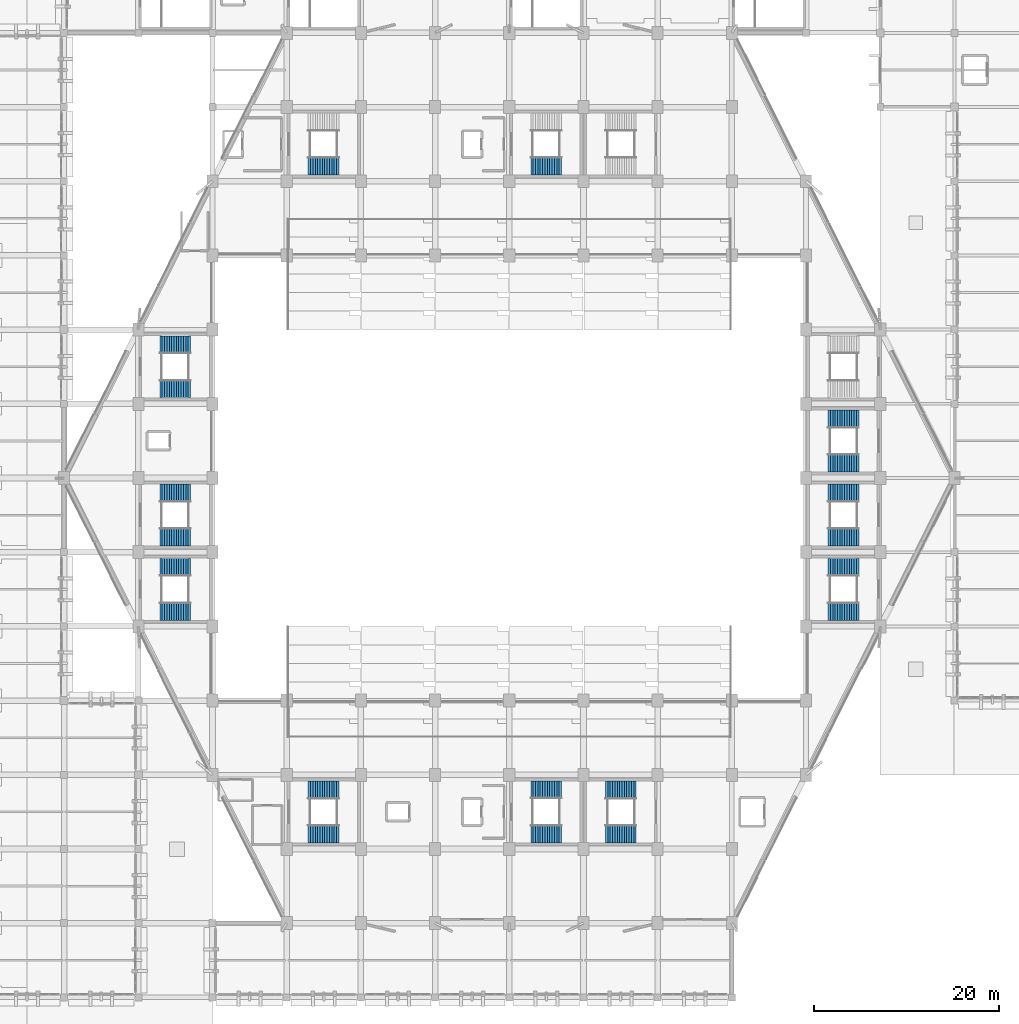
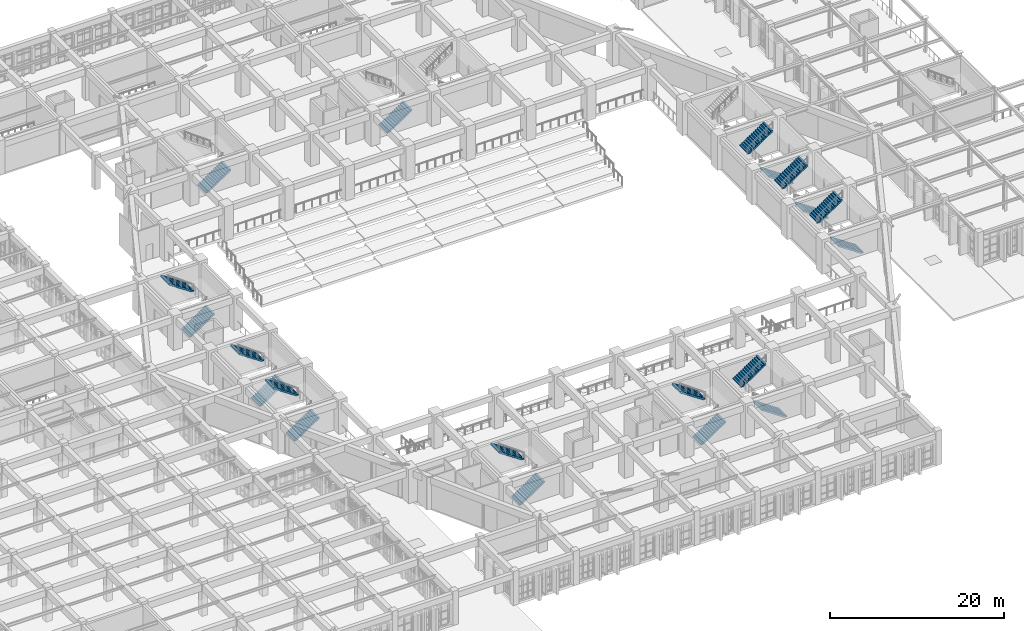
# One storey, part 141 of 155: 20 stair flights, 11 elements without a shape of their own.
"""IFC4 building model written with IfcOpenShell, lengths in metres."""

from ifc_helpers import new_model, si_unit, direction, frame, origin, place, context, subcontext, project, spatial, polyline, outline, extrude, material, type_object, element, aggregate, save


model = new_model("IFC4")

# Units and contexts
model_context = context("Model", 3, precision=1e-05, world=origin(), true_north=direction((0.0, 1.0)))
body_context = subcontext(model_context, "Body", "Model", "MODEL_VIEW")
ifc_project = project(units=[si_unit("LENGTHUNIT", "METRE"), si_unit("AREAUNIT", "SQUARE_METRE"), si_unit("VOLUMEUNIT", "CUBIC_METRE"), si_unit("PLANEANGLEUNIT", "RADIAN"), si_unit("MASSUNIT", "GRAM", prefix="KILO")], contexts=[model_context])

# Site, building, storey
site_placement = place(None, origin())
site = spatial("IfcSite", under=ifc_project, at=site_placement, CompositionType="ELEMENT")
building_placement = place(site_placement, origin())
building = spatial("IfcBuilding", under=site, at=building_placement, Name="Tazarka Park Arena", CompositionType="ELEMENT")
storey_placement = place(building_placement, frame((0.0, 0.0, 5.39990234375)))
storey = spatial("IfcBuildingStorey", under=building, at=storey_placement, Name="L01", CompositionType="ELEMENT", Elevation=5.39990234375)

# Stair, stair flights
ifc_material_1 = material(Name="Precast concrete C40/50", Category="concrete")
stair_type_1 = type_object("IfcStairType", Name="STR-2400", PredefinedType="HALF_TURN_STAIR", material=ifc_material_1)
stair_1_placement = place(storey_placement, origin())
stair_1 = element("IfcStair", 1, at=stair_1_placement, inside=storey, type_object=stair_type_1, Name="Stair ST09 L01", PredefinedType="HALF_TURN_STAIR")
ifc_material_2 = material(Name="Precast concrete C40/50", Category="concrete")
stair_flight_type_1 = type_object("IfcStairFlightType", Name="FLT-1350", PredefinedType="STRAIGHT", material=ifc_material_2)
stair_flight_1_placement = place(storey_placement, frame((66.31494140625, 25.6298828125, 0.0), z_axis=(0.0, 0.0, 1.0), x_axis=(1.0, 0.0, 0.0)))
stair_flight_1 = element("IfcStairFlight", 2, at=stair_flight_1_placement, type_object=stair_flight_type_1, Name="ST09-L01 flight 1", NumberOfRisers=14, NumberOfTreads=13, PredefinedType="STRAIGHT", RiserHeight=0.171429, TreadLength=0.255, context=body_context, shape_type="SweptSolid", body=[
    extrude(outline(polyline([(0.0, 0.0), (0.0, 0.17138671875), (0.2548828125, 0.17138671875), (0.2548828125, 0.3427734375), (0.510009765625, 0.3427734375), (0.510009765625, 0.514404296875), (0.764892578125, 0.514404296875), (0.764892578125, 0.685791015625), (1.02001953125, 0.685791015625), (1.02001953125, 0.857177734375), (1.27490234375, 0.857177734375), (1.27490234375, 1.028564453125), (1.530029296875, 1.028564453125), (1.530029296875, 1.199951171875), (1.784912109375, 1.199951171875), (1.784912109375, 1.371337890625), (2.0400390625, 1.371337890625), (2.0400390625, 1.54296875), (2.294921875, 1.54296875), (2.294921875, 1.71435546875), (2.550048828125, 1.71435546875), (2.550048828125, 1.8857421875), (2.804931640625, 1.8857421875), (2.804931640625, 2.05712890625), (3.06005859375, 2.05712890625), (3.06005859375, 2.228515625), (3.31494140625, 2.228515625), (3.31494140625, 2.39990234375), (3.31494140625, 2.01171875), (0.322509765625, 0.0), (0.0, 0.0)])), frame((0.0, 0.969970703125, 0.0), z_axis=(0.0, -1.0, 0.0), x_axis=(1.0, 0.0, 0.0)), (0.0, 0.0, 1.0), 1.93994140625),
])
stair_flight_2_placement = place(storey_placement, frame((69.6298828125, 30.3701171875, 2.400146484375), z_axis=(0.0, 0.0, 1.0), x_axis=(-1.0, 0.0, 0.0)))
stair_flight_2 = element("IfcStairFlight", 3, at=stair_flight_2_placement, type_object=stair_flight_type_1, Name="ST09-L01 flight 2", NumberOfRisers=14, NumberOfTreads=13, PredefinedType="STRAIGHT", RiserHeight=0.171429, TreadLength=0.255, context=body_context, shape_type="SweptSolid", body=[
    extrude(outline(polyline([(0.0, 0.0), (0.0, 0.17138671875), (0.2548828125, 0.17138671875), (0.2548828125, 0.3427734375), (0.510009765625, 0.3427734375), (0.510009765625, 0.514404296875), (0.764892578125, 0.514404296875), (0.764892578125, 0.685791015625), (1.02001953125, 0.685791015625), (1.02001953125, 0.857177734375), (1.27490234375, 0.857177734375), (1.27490234375, 1.028564453125), (1.530029296875, 1.028564453125), (1.530029296875, 1.199951171875), (1.784912109375, 1.199951171875), (1.784912109375, 1.371337890625), (2.0400390625, 1.371337890625), (2.0400390625, 1.54296875), (2.294921875, 1.54296875), (2.294921875, 1.71435546875), (2.550048828125, 1.71435546875), (2.550048828125, 1.8857421875), (2.804931640625, 1.8857421875), (2.804931640625, 2.05712890625), (3.06005859375, 2.05712890625), (3.06005859375, 2.228515625), (3.31494140625, 2.228515625), (3.31494140625, 2.39990234375), (3.31494140625, 2.01171875), (0.322509765625, 0.0), (0.0, 0.0)])), frame((0.0, 0.969970703125, 0.0), z_axis=(0.0, -1.0, 0.0), x_axis=(1.0, 0.0, 0.0)), (0.0, 0.0, 1.0), 1.93994140625),
])
aggregate(stair_1, [stair_flight_1, stair_flight_2])

stair_2_placement = place(storey_placement, origin())
stair_2 = element("IfcStair", 4, at=stair_2_placement, inside=storey, type_object=stair_type_1, Name="Stair ST11 L01", PredefinedType="HALF_TURN_STAIR")
stair_flight_3_placement = place(storey_placement, frame((101.68505859375, 25.6298828125, 0.0), z_axis=(0.0, 0.0, 1.0), x_axis=(-1.0, 0.0, 0.0)))
stair_flight_3 = element("IfcStairFlight", 5, at=stair_flight_3_placement, type_object=stair_flight_type_1, Name="ST11-L01 flight 1", NumberOfRisers=14, NumberOfTreads=13, PredefinedType="STRAIGHT", RiserHeight=0.171429, TreadLength=0.255, context=body_context, shape_type="SweptSolid", body=[
    extrude(outline(polyline([(0.0, 0.0), (0.0, 0.17138671875), (0.2548828125, 0.17138671875), (0.2548828125, 0.3427734375), (0.510009765625, 0.3427734375), (0.510009765625, 0.514404296875), (0.764892578125, 0.514404296875), (0.764892578125, 0.685791015625), (1.02001953125, 0.685791015625), (1.02001953125, 0.857177734375), (1.27490234375, 0.857177734375), (1.27490234375, 1.028564453125), (1.530029296875, 1.028564453125), (1.530029296875, 1.199951171875), (1.784912109375, 1.199951171875), (1.784912109375, 1.371337890625), (2.0400390625, 1.371337890625), (2.0400390625, 1.54296875), (2.294921875, 1.54296875), (2.294921875, 1.71435546875), (2.550048828125, 1.71435546875), (2.550048828125, 1.8857421875), (2.804931640625, 1.8857421875), (2.804931640625, 2.05712890625), (3.06005859375, 2.05712890625), (3.06005859375, 2.228515625), (3.31494140625, 2.228515625), (3.31494140625, 2.39990234375), (3.31494140625, 2.01171875), (0.322509765625, 0.0), (0.0, 0.0)])), frame((0.0, 0.969970703125, 0.0), z_axis=(0.0, -1.0, 0.0), x_axis=(1.0, 0.0, 0.0)), (0.0, 0.0, 1.0), 1.93994140625),
])
stair_flight_4_placement = place(storey_placement, frame((98.3701171875, 30.3701171875, 2.400146484375), z_axis=(0.0, 0.0, 1.0), x_axis=(1.0, 0.0, 0.0)))
stair_flight_4 = element("IfcStairFlight", 6, at=stair_flight_4_placement, type_object=stair_flight_type_1, Name="ST11-L01 flight 2", NumberOfRisers=14, NumberOfTreads=13, PredefinedType="STRAIGHT", RiserHeight=0.171429, TreadLength=0.255, context=body_context, shape_type="SweptSolid", body=[
    extrude(outline(polyline([(0.0, 0.0), (0.0, 0.17138671875), (0.2548828125, 0.17138671875), (0.2548828125, 0.3427734375), (0.510009765625, 0.3427734375), (0.510009765625, 0.514404296875), (0.764892578125, 0.514404296875), (0.764892578125, 0.685791015625), (1.02001953125, 0.685791015625), (1.02001953125, 0.857177734375), (1.27490234375, 0.857177734375), (1.27490234375, 1.028564453125), (1.530029296875, 1.028564453125), (1.530029296875, 1.199951171875), (1.784912109375, 1.199951171875), (1.784912109375, 1.371337890625), (2.0400390625, 1.371337890625), (2.0400390625, 1.54296875), (2.294921875, 1.54296875), (2.294921875, 1.71435546875), (2.550048828125, 1.71435546875), (2.550048828125, 1.8857421875), (2.804931640625, 1.8857421875), (2.804931640625, 2.05712890625), (3.06005859375, 2.05712890625), (3.06005859375, 2.228515625), (3.31494140625, 2.228515625), (3.31494140625, 2.39990234375), (3.31494140625, 2.01171875), (0.322509765625, 0.0), (0.0, 0.0)])), frame((0.0, 0.969970703125, 0.0), z_axis=(0.0, -1.0, 0.0), x_axis=(1.0, 0.0, 0.0)), (0.0, 0.0, 1.0), 1.93994140625),
])
aggregate(stair_2, [stair_flight_3, stair_flight_4])

stair_3_placement = place(storey_placement, origin())
stair_3 = element("IfcStair", 7, at=stair_3_placement, inside=storey, type_object=stair_type_1, Name="Stair ST12 L01", PredefinedType="HALF_TURN_STAIR")
stair_flight_5_placement = place(storey_placement, frame((125.68505859375, 57.6298828125, 0.0), z_axis=(0.0, 0.0, 1.0), x_axis=(-1.0, 0.0, 0.0)))
stair_flight_5 = element("IfcStairFlight", 8, at=stair_flight_5_placement, type_object=stair_flight_type_1, Name="ST12-L01 flight 1", NumberOfRisers=14, NumberOfTreads=13, PredefinedType="STRAIGHT", RiserHeight=0.171429, TreadLength=0.255, context=body_context, shape_type="SweptSolid", body=[
    extrude(outline(polyline([(0.0, 0.0), (0.0, 0.17138671875), (0.2548828125, 0.17138671875), (0.2548828125, 0.3427734375), (0.510009765625, 0.3427734375), (0.510009765625, 0.514404296875), (0.764892578125, 0.514404296875), (0.764892578125, 0.685791015625), (1.02001953125, 0.685791015625), (1.02001953125, 0.857177734375), (1.27490234375, 0.857177734375), (1.27490234375, 1.028564453125), (1.530029296875, 1.028564453125), (1.530029296875, 1.199951171875), (1.784912109375, 1.199951171875), (1.784912109375, 1.371337890625), (2.0400390625, 1.371337890625), (2.0400390625, 1.54296875), (2.294921875, 1.54296875), (2.294921875, 1.71435546875), (2.550048828125, 1.71435546875), (2.550048828125, 1.8857421875), (2.804931640625, 1.8857421875), (2.804931640625, 2.05712890625), (3.06005859375, 2.05712890625), (3.06005859375, 2.228515625), (3.31494140625, 2.228515625), (3.31494140625, 2.39990234375), (3.31494140625, 2.01171875), (0.322509765625, 0.0), (0.0, 0.0)])), frame((0.0, 0.969970703125, 0.0), z_axis=(0.0, -1.0, 0.0), x_axis=(1.0, 0.0, 0.0)), (0.0, 0.0, 1.0), 1.93994140625),
])
stair_flight_6_placement = place(storey_placement, frame((122.3701171875, 62.3701171875, 2.400146484375), z_axis=(0.0, 0.0, 1.0), x_axis=(1.0, 0.0, 0.0)))
stair_flight_6 = element("IfcStairFlight", 9, at=stair_flight_6_placement, type_object=stair_flight_type_1, Name="ST12-L01 flight 2", NumberOfRisers=14, NumberOfTreads=13, PredefinedType="STRAIGHT", RiserHeight=0.171429, TreadLength=0.255, context=body_context, shape_type="SweptSolid", body=[
    extrude(outline(polyline([(0.0, 0.0), (0.0, 0.17138671875), (0.2548828125, 0.17138671875), (0.2548828125, 0.3427734375), (0.510009765625, 0.3427734375), (0.510009765625, 0.514404296875), (0.764892578125, 0.514404296875), (0.764892578125, 0.685791015625), (1.02001953125, 0.685791015625), (1.02001953125, 0.857177734375), (1.27490234375, 0.857177734375), (1.27490234375, 1.028564453125), (1.530029296875, 1.028564453125), (1.530029296875, 1.199951171875), (1.784912109375, 1.199951171875), (1.784912109375, 1.371337890625), (2.0400390625, 1.371337890625), (2.0400390625, 1.54296875), (2.294921875, 1.54296875), (2.294921875, 1.71435546875), (2.550048828125, 1.71435546875), (2.550048828125, 1.8857421875), (2.804931640625, 1.8857421875), (2.804931640625, 2.05712890625), (3.06005859375, 2.05712890625), (3.06005859375, 2.228515625), (3.31494140625, 2.228515625), (3.31494140625, 2.39990234375), (3.31494140625, 2.01171875), (0.322509765625, 0.0), (0.0, 0.0)])), frame((0.0, 0.969970703125, 0.0), z_axis=(0.0, -1.0, 0.0), x_axis=(1.0, 0.0, 0.0)), (0.0, 0.0, 1.0), 1.93994140625),
])
aggregate(stair_3, [stair_flight_5, stair_flight_6])

stair_4_placement = place(storey_placement, origin())
stair_4 = element("IfcStair", 10, at=stair_4_placement, inside=storey, type_object=stair_type_1, Name="Stair ST13 L01", PredefinedType="HALF_TURN_STAIR")
stair_flight_7_placement = place(storey_placement, frame((50.31494140625, 57.6298828125, 0.0), z_axis=(0.0, 0.0, 1.0), x_axis=(1.0, 0.0, 0.0)))
stair_flight_7 = element("IfcStairFlight", 11, at=stair_flight_7_placement, type_object=stair_flight_type_1, Name="ST13-L01 flight 1", NumberOfRisers=14, NumberOfTreads=13, PredefinedType="STRAIGHT", RiserHeight=0.171429, TreadLength=0.255, context=body_context, shape_type="SweptSolid", body=[
    extrude(outline(polyline([(0.0, 0.0), (0.0, 0.17138671875), (0.2548828125, 0.17138671875), (0.2548828125, 0.3427734375), (0.510009765625, 0.3427734375), (0.510009765625, 0.514404296875), (0.764892578125, 0.514404296875), (0.764892578125, 0.685791015625), (1.02001953125, 0.685791015625), (1.02001953125, 0.857177734375), (1.27490234375, 0.857177734375), (1.27490234375, 1.028564453125), (1.530029296875, 1.028564453125), (1.530029296875, 1.199951171875), (1.784912109375, 1.199951171875), (1.784912109375, 1.371337890625), (2.0400390625, 1.371337890625), (2.0400390625, 1.54296875), (2.294921875, 1.54296875), (2.294921875, 1.71435546875), (2.550048828125, 1.71435546875), (2.550048828125, 1.8857421875), (2.804931640625, 1.8857421875), (2.804931640625, 2.05712890625), (3.06005859375, 2.05712890625), (3.06005859375, 2.228515625), (3.31494140625, 2.228515625), (3.31494140625, 2.39990234375), (3.31494140625, 2.01171875), (0.322509765625, 0.0), (0.0, 0.0)])), frame((0.0, 0.969970703125, 0.0), z_axis=(0.0, -1.0, 0.0), x_axis=(1.0, 0.0, 0.0)), (0.0, 0.0, 1.0), 1.93994140625),
])
stair_flight_8_placement = place(storey_placement, frame((53.6298828125, 62.3701171875, 2.400146484375), z_axis=(0.0, 0.0, 1.0), x_axis=(-1.0, 0.0, 0.0)))
stair_flight_8 = element("IfcStairFlight", 12, at=stair_flight_8_placement, type_object=stair_flight_type_1, Name="ST13-L01 flight 2", NumberOfRisers=14, NumberOfTreads=13, PredefinedType="STRAIGHT", RiserHeight=0.171429, TreadLength=0.255, context=body_context, shape_type="SweptSolid", body=[
    extrude(outline(polyline([(0.0, 0.0), (0.0, 0.17138671875), (0.2548828125, 0.17138671875), (0.2548828125, 0.3427734375), (0.510009765625, 0.3427734375), (0.510009765625, 0.514404296875), (0.764892578125, 0.514404296875), (0.764892578125, 0.685791015625), (1.02001953125, 0.685791015625), (1.02001953125, 0.857177734375), (1.27490234375, 0.857177734375), (1.27490234375, 1.028564453125), (1.530029296875, 1.028564453125), (1.530029296875, 1.199951171875), (1.784912109375, 1.199951171875), (1.784912109375, 1.371337890625), (2.0400390625, 1.371337890625), (2.0400390625, 1.54296875), (2.294921875, 1.54296875), (2.294921875, 1.71435546875), (2.550048828125, 1.71435546875), (2.550048828125, 1.8857421875), (2.804931640625, 1.8857421875), (2.804931640625, 2.05712890625), (3.06005859375, 2.05712890625), (3.06005859375, 2.228515625), (3.31494140625, 2.228515625), (3.31494140625, 2.39990234375), (3.31494140625, 2.01171875), (0.322509765625, 0.0), (0.0, 0.0)])), frame((0.0, 0.969970703125, 0.0), z_axis=(0.0, -1.0, 0.0), x_axis=(1.0, 0.0, 0.0)), (0.0, 0.0, 1.0), 1.93994140625),
])
aggregate(stair_4, [stair_flight_7, stair_flight_8])

# Stair, stair flight
stair_5_placement = place(storey_placement, origin())
stair_5 = element("IfcStair", 13, at=stair_5_placement, inside=storey, type_object=stair_type_1, Name="Stair ST14 L01", PredefinedType="HALF_TURN_STAIR")
stair_flight_9_placement = place(storey_placement, frame((66.31494140625, 97.6298828125, 0.0), z_axis=(0.0, 0.0, 1.0), x_axis=(1.0, 0.0, 0.0)))
stair_flight_9 = element("IfcStairFlight", 14, at=stair_flight_9_placement, type_object=stair_flight_type_1, Name="ST14-L01 flight 1", NumberOfRisers=14, NumberOfTreads=13, PredefinedType="STRAIGHT", RiserHeight=0.171429, TreadLength=0.255, context=body_context, shape_type="SweptSolid", body=[
    extrude(outline(polyline([(0.0, 0.0), (0.0, 0.17138671875), (0.2548828125, 0.17138671875), (0.2548828125, 0.3427734375), (0.510009765625, 0.3427734375), (0.510009765625, 0.514404296875), (0.764892578125, 0.514404296875), (0.764892578125, 0.685791015625), (1.02001953125, 0.685791015625), (1.02001953125, 0.857177734375), (1.27490234375, 0.857177734375), (1.27490234375, 1.028564453125), (1.530029296875, 1.028564453125), (1.530029296875, 1.199951171875), (1.784912109375, 1.199951171875), (1.784912109375, 1.371337890625), (2.0400390625, 1.371337890625), (2.0400390625, 1.54296875), (2.294921875, 1.54296875), (2.294921875, 1.71435546875), (2.550048828125, 1.71435546875), (2.550048828125, 1.8857421875), (2.804931640625, 1.8857421875), (2.804931640625, 2.05712890625), (3.06005859375, 2.05712890625), (3.06005859375, 2.228515625), (3.31494140625, 2.228515625), (3.31494140625, 2.39990234375), (3.31494140625, 2.01171875), (0.322509765625, 0.0), (0.0, 0.0)])), frame((0.0, 0.969970703125, 0.0), z_axis=(0.0, -1.0, 0.0), x_axis=(1.0, 0.0, 0.0)), (0.0, 0.0, 1.0), 1.93994140625),
])
aggregate(stair_5, [stair_flight_9])

stair_6_placement = place(storey_placement, origin())
stair_6 = element("IfcStair", 15, at=stair_6_placement, inside=storey, type_object=stair_type_1, Name="Stair ST15 L01", PredefinedType="HALF_TURN_STAIR")
stair_flight_10_placement = place(storey_placement, frame((90.31494140625, 97.6298828125, 0.0), z_axis=(0.0, 0.0, 1.0), x_axis=(1.0, 0.0, 0.0)))
stair_flight_10 = element("IfcStairFlight", 16, at=stair_flight_10_placement, type_object=stair_flight_type_1, Name="ST15-L01 flight 1", NumberOfRisers=14, NumberOfTreads=13, PredefinedType="STRAIGHT", RiserHeight=0.171429, TreadLength=0.255, context=body_context, shape_type="SweptSolid", body=[
    extrude(outline(polyline([(0.0, 0.0), (0.0, 0.17138671875), (0.2548828125, 0.17138671875), (0.2548828125, 0.3427734375), (0.510009765625, 0.3427734375), (0.510009765625, 0.514404296875), (0.764892578125, 0.514404296875), (0.764892578125, 0.685791015625), (1.02001953125, 0.685791015625), (1.02001953125, 0.857177734375), (1.27490234375, 0.857177734375), (1.27490234375, 1.028564453125), (1.530029296875, 1.028564453125), (1.530029296875, 1.199951171875), (1.784912109375, 1.199951171875), (1.784912109375, 1.371337890625), (2.0400390625, 1.371337890625), (2.0400390625, 1.54296875), (2.294921875, 1.54296875), (2.294921875, 1.71435546875), (2.550048828125, 1.71435546875), (2.550048828125, 1.8857421875), (2.804931640625, 1.8857421875), (2.804931640625, 2.05712890625), (3.06005859375, 2.05712890625), (3.06005859375, 2.228515625), (3.31494140625, 2.228515625), (3.31494140625, 2.39990234375), (3.31494140625, 2.01171875), (0.322509765625, 0.0), (0.0, 0.0)])), frame((0.0, 0.969970703125, 0.0), z_axis=(0.0, -1.0, 0.0), x_axis=(1.0, 0.0, 0.0)), (0.0, 0.0, 1.0), 1.93994140625),
])
aggregate(stair_6, [stair_flight_10])

# Stair, stair flights
stair_7_placement = place(storey_placement, origin())
stair_7 = element("IfcStair", 17, at=stair_7_placement, inside=storey, type_object=stair_type_1, Name="Stair ST16 L01", PredefinedType="HALF_TURN_STAIR")
stair_flight_11_placement = place(storey_placement, frame((125.68505859375, 65.6298828125, 0.0), z_axis=(0.0, 0.0, 1.0), x_axis=(-1.0, 0.0, 0.0)))
stair_flight_11 = element("IfcStairFlight", 18, at=stair_flight_11_placement, type_object=stair_flight_type_1, Name="ST16-L01 flight 1", NumberOfRisers=14, NumberOfTreads=13, PredefinedType="STRAIGHT", RiserHeight=0.171429, TreadLength=0.255, context=body_context, shape_type="SweptSolid", body=[
    extrude(outline(polyline([(0.0, 0.0), (0.0, 0.17138671875), (0.2548828125, 0.17138671875), (0.2548828125, 0.3427734375), (0.510009765625, 0.3427734375), (0.510009765625, 0.514404296875), (0.764892578125, 0.514404296875), (0.764892578125, 0.685791015625), (1.02001953125, 0.685791015625), (1.02001953125, 0.857177734375), (1.27490234375, 0.857177734375), (1.27490234375, 1.028564453125), (1.530029296875, 1.028564453125), (1.530029296875, 1.199951171875), (1.784912109375, 1.199951171875), (1.784912109375, 1.371337890625), (2.0400390625, 1.371337890625), (2.0400390625, 1.54296875), (2.294921875, 1.54296875), (2.294921875, 1.71435546875), (2.550048828125, 1.71435546875), (2.550048828125, 1.8857421875), (2.804931640625, 1.8857421875), (2.804931640625, 2.05712890625), (3.06005859375, 2.05712890625), (3.06005859375, 2.228515625), (3.31494140625, 2.228515625), (3.31494140625, 2.39990234375), (3.31494140625, 2.01171875), (0.322509765625, 0.0), (0.0, 0.0)])), frame((0.0, 0.969970703125, 0.0), z_axis=(0.0, -1.0, 0.0), x_axis=(1.0, 0.0, 0.0)), (0.0, 0.0, 1.0), 1.93994140625),
])
stair_flight_12_placement = place(storey_placement, frame((122.3701171875, 70.3701171875, 2.400146484375), z_axis=(0.0, 0.0, 1.0), x_axis=(1.0, 0.0, 0.0)))
stair_flight_12 = element("IfcStairFlight", 19, at=stair_flight_12_placement, type_object=stair_flight_type_1, Name="ST16-L01 flight 2", NumberOfRisers=14, NumberOfTreads=13, PredefinedType="STRAIGHT", RiserHeight=0.171429, TreadLength=0.255, context=body_context, shape_type="SweptSolid", body=[
    extrude(outline(polyline([(0.0, 0.0), (0.0, 0.17138671875), (0.2548828125, 0.17138671875), (0.2548828125, 0.3427734375), (0.510009765625, 0.3427734375), (0.510009765625, 0.514404296875), (0.764892578125, 0.514404296875), (0.764892578125, 0.685791015625), (1.02001953125, 0.685791015625), (1.02001953125, 0.857177734375), (1.27490234375, 0.857177734375), (1.27490234375, 1.028564453125), (1.530029296875, 1.028564453125), (1.530029296875, 1.199951171875), (1.784912109375, 1.199951171875), (1.784912109375, 1.371337890625), (2.0400390625, 1.371337890625), (2.0400390625, 1.54296875), (2.294921875, 1.54296875), (2.294921875, 1.71435546875), (2.550048828125, 1.71435546875), (2.550048828125, 1.8857421875), (2.804931640625, 1.8857421875), (2.804931640625, 2.05712890625), (3.06005859375, 2.05712890625), (3.06005859375, 2.228515625), (3.31494140625, 2.228515625), (3.31494140625, 2.39990234375), (3.31494140625, 2.01171875), (0.322509765625, 0.0), (0.0, 0.0)])), frame((0.0, 0.969970703125, 0.0), z_axis=(0.0, -1.0, 0.0), x_axis=(1.0, 0.0, 0.0)), (0.0, 0.0, 1.0), 1.93994140625),
])
aggregate(stair_7, [stair_flight_11, stair_flight_12])

ifc_material_3 = material(Name="Precast concrete C40/50", Category="concrete")
stair_type_2 = type_object("IfcStairType", Name="STR-1800", PredefinedType="HALF_TURN_STAIR", material=ifc_material_3)
stair_8_placement = place(storey_placement, origin())
stair_8 = element("IfcStair", 20, at=stair_8_placement, inside=storey, type_object=stair_type_2, Name="Vomitory Stair ST19 L01", PredefinedType="HALF_TURN_STAIR")
ifc_material_4 = material(Name="Precast concrete C40/50", Category="concrete")
stair_flight_type_2 = type_object("IfcStairFlightType", Name="FLT-1800", PredefinedType="STRAIGHT", material=ifc_material_4)
stair_flight_13_placement = place(storey_placement, frame((50.31494140625, 49.610107421875, 0.0), z_axis=(0.0, 0.0, 1.0), x_axis=(1.0, 0.0, 0.0)))
stair_flight_13 = element("IfcStairFlight", 21, at=stair_flight_13_placement, type_object=stair_flight_type_2, Name="ST19-L01 flight 1", NumberOfRisers=14, NumberOfTreads=13, PredefinedType="STRAIGHT", RiserHeight=0.171429, TreadLength=0.255, context=body_context, shape_type="SweptSolid", body=[
    extrude(outline(polyline([(0.0, 0.0), (0.0, 0.17138671875), (0.2548828125, 0.17138671875), (0.2548828125, 0.3427734375), (0.510009765625, 0.3427734375), (0.510009765625, 0.514404296875), (0.764892578125, 0.514404296875), (0.764892578125, 0.685791015625), (1.02001953125, 0.685791015625), (1.02001953125, 0.857177734375), (1.27490234375, 0.857177734375), (1.27490234375, 1.028564453125), (1.530029296875, 1.028564453125), (1.530029296875, 1.199951171875), (1.784912109375, 1.199951171875), (1.784912109375, 1.371337890625), (2.0400390625, 1.371337890625), (2.0400390625, 1.54296875), (2.294921875, 1.54296875), (2.294921875, 1.71435546875), (2.550048828125, 1.71435546875), (2.550048828125, 1.8857421875), (2.804931640625, 1.8857421875), (2.804931640625, 2.05712890625), (3.06005859375, 2.05712890625), (3.06005859375, 2.228515625), (3.31494140625, 2.228515625), (3.31494140625, 2.39990234375), (3.31494140625, 2.01171875), (0.322509765625, 0.0), (0.0, 0.0)])), frame((0.0, 0.949951171875, 0.0), z_axis=(0.0, -1.0, 0.0), x_axis=(1.0, 0.0, 0.0)), (0.0, 0.0, 1.0), 1.89990234375),
])
stair_flight_14_placement = place(storey_placement, frame((53.6298828125, 54.389892578125, 2.400146484375), z_axis=(0.0, 0.0, 1.0), x_axis=(-1.0, 0.0, 0.0)))
stair_flight_14 = element("IfcStairFlight", 22, at=stair_flight_14_placement, type_object=stair_flight_type_2, Name="ST19-L01 flight 2", NumberOfRisers=14, NumberOfTreads=13, PredefinedType="STRAIGHT", RiserHeight=0.171429, TreadLength=0.255, context=body_context, shape_type="SweptSolid", body=[
    extrude(outline(polyline([(0.0, 0.0), (0.0, 0.17138671875), (0.2548828125, 0.17138671875), (0.2548828125, 0.3427734375), (0.510009765625, 0.3427734375), (0.510009765625, 0.514404296875), (0.764892578125, 0.514404296875), (0.764892578125, 0.685791015625), (1.02001953125, 0.685791015625), (1.02001953125, 0.857177734375), (1.27490234375, 0.857177734375), (1.27490234375, 1.028564453125), (1.530029296875, 1.028564453125), (1.530029296875, 1.199951171875), (1.784912109375, 1.199951171875), (1.784912109375, 1.371337890625), (2.0400390625, 1.371337890625), (2.0400390625, 1.54296875), (2.294921875, 1.54296875), (2.294921875, 1.71435546875), (2.550048828125, 1.71435546875), (2.550048828125, 1.8857421875), (2.804931640625, 1.8857421875), (2.804931640625, 2.05712890625), (3.06005859375, 2.05712890625), (3.06005859375, 2.228515625), (3.31494140625, 2.228515625), (3.31494140625, 2.39990234375), (3.31494140625, 2.01171875), (0.322509765625, 0.0), (0.0, 0.0)])), frame((0.0, 0.949951171875, 0.0), z_axis=(0.0, -1.0, 0.0), x_axis=(1.0, 0.0, 0.0)), (0.0, 0.0, 1.0), 1.89990234375),
])
aggregate(stair_8, [stair_flight_13, stair_flight_14])

stair_9_placement = place(storey_placement, origin())
stair_9 = element("IfcStair", 23, at=stair_9_placement, inside=storey, type_object=stair_type_2, Name="Vomitory Stair ST20 L01", PredefinedType="HALF_TURN_STAIR")
stair_flight_15_placement = place(storey_placement, frame((50.31494140625, 73.610107421875, 0.0), z_axis=(0.0, 0.0, 1.0), x_axis=(1.0, 0.0, 0.0)))
stair_flight_15 = element("IfcStairFlight", 24, at=stair_flight_15_placement, type_object=stair_flight_type_2, Name="ST20-L01 flight 1", NumberOfRisers=14, NumberOfTreads=13, PredefinedType="STRAIGHT", RiserHeight=0.171429, TreadLength=0.255, context=body_context, shape_type="SweptSolid", body=[
    extrude(outline(polyline([(0.0, 0.0), (0.0, 0.17138671875), (0.2548828125, 0.17138671875), (0.2548828125, 0.3427734375), (0.510009765625, 0.3427734375), (0.510009765625, 0.514404296875), (0.764892578125, 0.514404296875), (0.764892578125, 0.685791015625), (1.02001953125, 0.685791015625), (1.02001953125, 0.857177734375), (1.27490234375, 0.857177734375), (1.27490234375, 1.028564453125), (1.530029296875, 1.028564453125), (1.530029296875, 1.199951171875), (1.784912109375, 1.199951171875), (1.784912109375, 1.371337890625), (2.0400390625, 1.371337890625), (2.0400390625, 1.54296875), (2.294921875, 1.54296875), (2.294921875, 1.71435546875), (2.550048828125, 1.71435546875), (2.550048828125, 1.8857421875), (2.804931640625, 1.8857421875), (2.804931640625, 2.05712890625), (3.06005859375, 2.05712890625), (3.06005859375, 2.228515625), (3.31494140625, 2.228515625), (3.31494140625, 2.39990234375), (3.31494140625, 2.01171875), (0.322509765625, 0.0), (0.0, 0.0)])), frame((0.0, 0.949951171875, 0.0), z_axis=(0.0, -1.0, 0.0), x_axis=(1.0, 0.0, 0.0)), (0.0, 0.0, 1.0), 1.89990234375),
])
stair_flight_16_placement = place(storey_placement, frame((53.6298828125, 78.389892578125, 2.400146484375), z_axis=(0.0, 0.0, 1.0), x_axis=(-1.0, 0.0, 0.0)))
stair_flight_16 = element("IfcStairFlight", 25, at=stair_flight_16_placement, type_object=stair_flight_type_2, Name="ST20-L01 flight 2", NumberOfRisers=14, NumberOfTreads=13, PredefinedType="STRAIGHT", RiserHeight=0.171429, TreadLength=0.255, context=body_context, shape_type="SweptSolid", body=[
    extrude(outline(polyline([(0.0, 0.0), (0.0, 0.17138671875), (0.2548828125, 0.17138671875), (0.2548828125, 0.3427734375), (0.510009765625, 0.3427734375), (0.510009765625, 0.514404296875), (0.764892578125, 0.514404296875), (0.764892578125, 0.685791015625), (1.02001953125, 0.685791015625), (1.02001953125, 0.857177734375), (1.27490234375, 0.857177734375), (1.27490234375, 1.028564453125), (1.530029296875, 1.028564453125), (1.530029296875, 1.199951171875), (1.784912109375, 1.199951171875), (1.784912109375, 1.371337890625), (2.0400390625, 1.371337890625), (2.0400390625, 1.54296875), (2.294921875, 1.54296875), (2.294921875, 1.71435546875), (2.550048828125, 1.71435546875), (2.550048828125, 1.8857421875), (2.804931640625, 1.8857421875), (2.804931640625, 2.05712890625), (3.06005859375, 2.05712890625), (3.06005859375, 2.228515625), (3.31494140625, 2.228515625), (3.31494140625, 2.39990234375), (3.31494140625, 2.01171875), (0.322509765625, 0.0), (0.0, 0.0)])), frame((0.0, 0.949951171875, 0.0), z_axis=(0.0, -1.0, 0.0), x_axis=(1.0, 0.0, 0.0)), (0.0, 0.0, 1.0), 1.89990234375),
])
aggregate(stair_9, [stair_flight_15, stair_flight_16])

stair_10_placement = place(storey_placement, origin())
stair_10 = element("IfcStair", 26, at=stair_10_placement, inside=storey, type_object=stair_type_2, Name="Vomitory Stair ST21 L01", PredefinedType="HALF_TURN_STAIR")
stair_flight_17_placement = place(storey_placement, frame((125.68505859375, 49.610107421875, 0.0), z_axis=(0.0, 0.0, 1.0), x_axis=(-1.0, 0.0, 0.0)))
stair_flight_17 = element("IfcStairFlight", 27, at=stair_flight_17_placement, type_object=stair_flight_type_2, Name="ST21-L01 flight 1", NumberOfRisers=14, NumberOfTreads=13, PredefinedType="STRAIGHT", RiserHeight=0.171429, TreadLength=0.255, context=body_context, shape_type="SweptSolid", body=[
    extrude(outline(polyline([(0.0, 0.0), (0.0, 0.17138671875), (0.2548828125, 0.17138671875), (0.2548828125, 0.3427734375), (0.510009765625, 0.3427734375), (0.510009765625, 0.514404296875), (0.764892578125, 0.514404296875), (0.764892578125, 0.685791015625), (1.02001953125, 0.685791015625), (1.02001953125, 0.857177734375), (1.27490234375, 0.857177734375), (1.27490234375, 1.028564453125), (1.530029296875, 1.028564453125), (1.530029296875, 1.199951171875), (1.784912109375, 1.199951171875), (1.784912109375, 1.371337890625), (2.0400390625, 1.371337890625), (2.0400390625, 1.54296875), (2.294921875, 1.54296875), (2.294921875, 1.71435546875), (2.550048828125, 1.71435546875), (2.550048828125, 1.8857421875), (2.804931640625, 1.8857421875), (2.804931640625, 2.05712890625), (3.06005859375, 2.05712890625), (3.06005859375, 2.228515625), (3.31494140625, 2.228515625), (3.31494140625, 2.39990234375), (3.31494140625, 2.01171875), (0.322509765625, 0.0), (0.0, 0.0)])), frame((0.0, 0.949951171875, 0.0), z_axis=(0.0, -1.0, 0.0), x_axis=(1.0, 0.0, 0.0)), (0.0, 0.0, 1.0), 1.89990234375),
])
stair_flight_18_placement = place(storey_placement, frame((122.3701171875, 54.389892578125, 2.400146484375), z_axis=(0.0, 0.0, 1.0), x_axis=(1.0, 0.0, 0.0)))
stair_flight_18 = element("IfcStairFlight", 28, at=stair_flight_18_placement, type_object=stair_flight_type_2, Name="ST21-L01 flight 2", NumberOfRisers=14, NumberOfTreads=13, PredefinedType="STRAIGHT", RiserHeight=0.171429, TreadLength=0.255, context=body_context, shape_type="SweptSolid", body=[
    extrude(outline(polyline([(0.0, 0.0), (0.0, 0.17138671875), (0.2548828125, 0.17138671875), (0.2548828125, 0.3427734375), (0.510009765625, 0.3427734375), (0.510009765625, 0.514404296875), (0.764892578125, 0.514404296875), (0.764892578125, 0.685791015625), (1.02001953125, 0.685791015625), (1.02001953125, 0.857177734375), (1.27490234375, 0.857177734375), (1.27490234375, 1.028564453125), (1.530029296875, 1.028564453125), (1.530029296875, 1.199951171875), (1.784912109375, 1.199951171875), (1.784912109375, 1.371337890625), (2.0400390625, 1.371337890625), (2.0400390625, 1.54296875), (2.294921875, 1.54296875), (2.294921875, 1.71435546875), (2.550048828125, 1.71435546875), (2.550048828125, 1.8857421875), (2.804931640625, 1.8857421875), (2.804931640625, 2.05712890625), (3.06005859375, 2.05712890625), (3.06005859375, 2.228515625), (3.31494140625, 2.228515625), (3.31494140625, 2.39990234375), (3.31494140625, 2.01171875), (0.322509765625, 0.0), (0.0, 0.0)])), frame((0.0, 0.949951171875, 0.0), z_axis=(0.0, -1.0, 0.0), x_axis=(1.0, 0.0, 0.0)), (0.0, 0.0, 1.0), 1.89990234375),
])
aggregate(stair_10, [stair_flight_17, stair_flight_18])

stair_11_placement = place(storey_placement, origin())
stair_11 = element("IfcStair", 29, at=stair_11_placement, inside=storey, type_object=stair_type_2, Name="Vomitory Stair ST23 L01", PredefinedType="HALF_TURN_STAIR")
stair_flight_19_placement = place(storey_placement, frame((90.31494140625, 25.610107421875, 0.0), z_axis=(0.0, 0.0, 1.0), x_axis=(1.0, 0.0, 0.0)))
stair_flight_19 = element("IfcStairFlight", 30, at=stair_flight_19_placement, type_object=stair_flight_type_2, Name="ST23-L01 flight 1", NumberOfRisers=14, NumberOfTreads=13, PredefinedType="STRAIGHT", RiserHeight=0.171429, TreadLength=0.255, context=body_context, shape_type="SweptSolid", body=[
    extrude(outline(polyline([(0.0, 0.0), (0.0, 0.17138671875), (0.2548828125, 0.17138671875), (0.2548828125, 0.3427734375), (0.510009765625, 0.3427734375), (0.510009765625, 0.514404296875), (0.764892578125, 0.514404296875), (0.764892578125, 0.685791015625), (1.02001953125, 0.685791015625), (1.02001953125, 0.857177734375), (1.27490234375, 0.857177734375), (1.27490234375, 1.028564453125), (1.530029296875, 1.028564453125), (1.530029296875, 1.199951171875), (1.784912109375, 1.199951171875), (1.784912109375, 1.371337890625), (2.0400390625, 1.371337890625), (2.0400390625, 1.54296875), (2.294921875, 1.54296875), (2.294921875, 1.71435546875), (2.550048828125, 1.71435546875), (2.550048828125, 1.8857421875), (2.804931640625, 1.8857421875), (2.804931640625, 2.05712890625), (3.06005859375, 2.05712890625), (3.06005859375, 2.228515625), (3.31494140625, 2.228515625), (3.31494140625, 2.39990234375), (3.31494140625, 2.01171875), (0.322509765625, 0.0), (0.0, 0.0)])), frame((0.0, 0.949951171875, 0.0), z_axis=(0.0, -1.0, 0.0), x_axis=(1.0, 0.0, 0.0)), (0.0, 0.0, 1.0), 1.89990234375),
])
stair_flight_20_placement = place(storey_placement, frame((93.6298828125, 30.389892578125, 2.400146484375), z_axis=(0.0, 0.0, 1.0), x_axis=(-1.0, 0.0, 0.0)))
stair_flight_20 = element("IfcStairFlight", 31, at=stair_flight_20_placement, type_object=stair_flight_type_2, Name="ST23-L01 flight 2", NumberOfRisers=14, NumberOfTreads=13, PredefinedType="STRAIGHT", RiserHeight=0.171429, TreadLength=0.255, context=body_context, shape_type="SweptSolid", body=[
    extrude(outline(polyline([(0.0, 0.0), (0.0, 0.17138671875), (0.2548828125, 0.17138671875), (0.2548828125, 0.3427734375), (0.510009765625, 0.3427734375), (0.510009765625, 0.514404296875), (0.764892578125, 0.514404296875), (0.764892578125, 0.685791015625), (1.02001953125, 0.685791015625), (1.02001953125, 0.857177734375), (1.27490234375, 0.857177734375), (1.27490234375, 1.028564453125), (1.530029296875, 1.028564453125), (1.530029296875, 1.199951171875), (1.784912109375, 1.199951171875), (1.784912109375, 1.371337890625), (2.0400390625, 1.371337890625), (2.0400390625, 1.54296875), (2.294921875, 1.54296875), (2.294921875, 1.71435546875), (2.550048828125, 1.71435546875), (2.550048828125, 1.8857421875), (2.804931640625, 1.8857421875), (2.804931640625, 2.05712890625), (3.06005859375, 2.05712890625), (3.06005859375, 2.228515625), (3.31494140625, 2.228515625), (3.31494140625, 2.39990234375), (3.31494140625, 2.01171875), (0.322509765625, 0.0), (0.0, 0.0)])), frame((0.0, 0.949951171875, 0.0), z_axis=(0.0, -1.0, 0.0), x_axis=(1.0, 0.0, 0.0)), (0.0, 0.0, 1.0), 1.89990234375),
])
aggregate(stair_11, [stair_flight_19, stair_flight_20])

save(model, "model.ifc")
